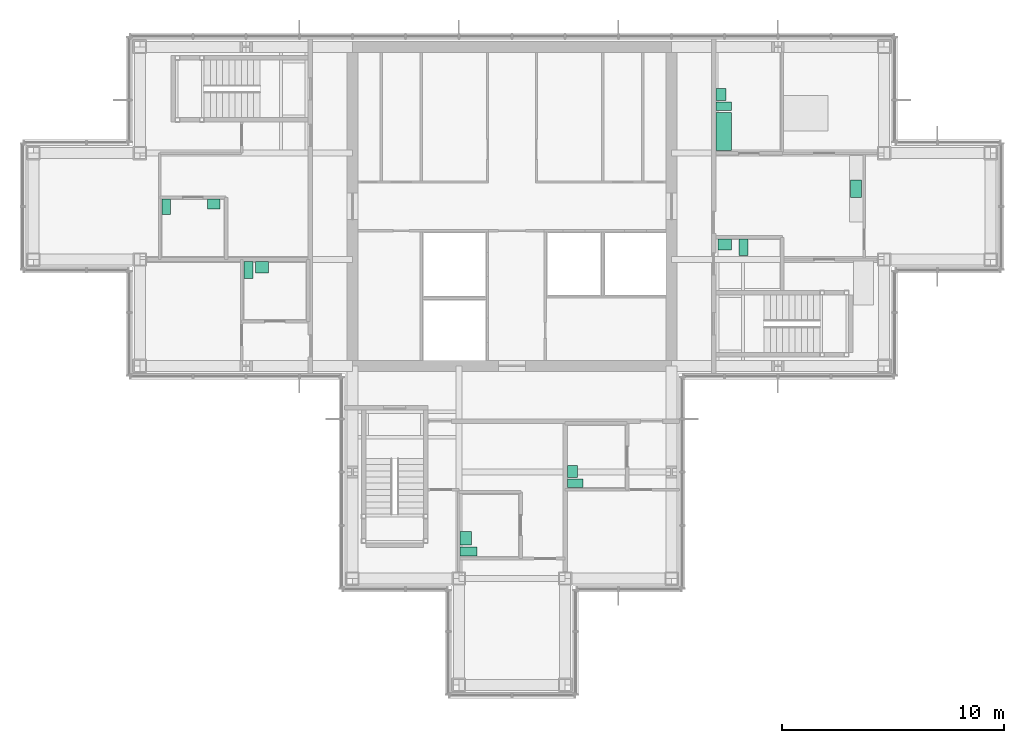
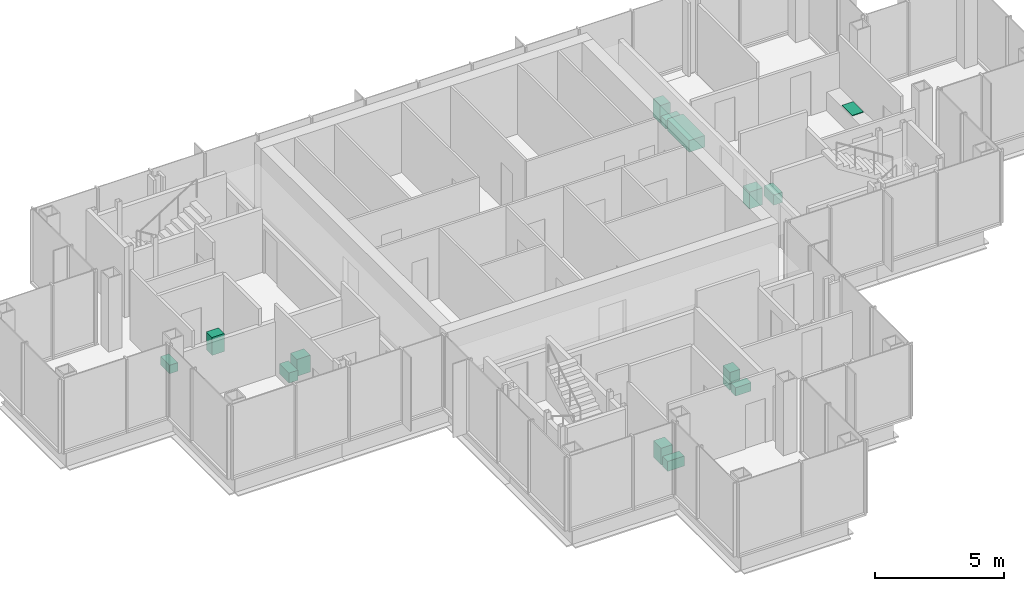
# One storey, part 14 of 15: 14 sanitary terminals.
"""IFC4 building model written with IfcOpenShell, lengths in metres."""

from ifc_helpers import new_model, si_unit, direction, frame, origin, origin_2d, place, context, subcontext, project, spatial, rectangle, extrude, material, type_object, element, save


model = new_model("IFC4")

# Units and contexts
model_context = context("Model", 3, precision=1e-05, world=origin(), true_north=direction((0.0, 1.0)))
body_context = subcontext(model_context, "Body", "Model", "MODEL_VIEW")
ifc_project = project(units=[si_unit("LENGTHUNIT", "METRE"), si_unit("AREAUNIT", "SQUARE_METRE"), si_unit("VOLUMEUNIT", "CUBIC_METRE"), si_unit("PLANEANGLEUNIT", "RADIAN"), si_unit("MASSUNIT", "GRAM", prefix="KILO")], contexts=[model_context])

# Site, building, storey
site_placement = place(None, origin())
site = spatial("IfcSite", under=ifc_project, at=site_placement, CompositionType="ELEMENT")
building_placement = place(site_placement, origin())
building = spatial("IfcBuilding", under=site, at=building_placement, Name="Kvirike Care Tower", CompositionType="ELEMENT")
storey_placement = place(building_placement, frame((0.0, 0.0, 233.0)))
storey = spatial("IfcBuildingStorey", under=building, at=storey_placement, Name="L64", CompositionType="ELEMENT", Elevation=233.0)

# Sanitary terminals
ifc_material_1 = material(Name="Vitreous china", Category="ceramic")
sanitary_terminal_type_1 = type_object("IfcSanitaryTerminalType", Name="ACCESSIBLE WASH BASIN 600 x 500", PredefinedType="WASHHANDBASIN", material=ifc_material_1)
for number, where, z_axis, x_axis, name in (
    (1, (10.31005859375, 33.248046875, 0.02001953125), (0.0, 0.0, 1.0), (1.0, 0.0, 0.0), "Accessible wash basin L64-007"),
    (2, (19.511962890625, 21.010009765625, 0.02001953125), (0.0, 0.0, 1.0), (0.0, 1.0, 0.0), "Accessible wash basin L64-013"),
    (3, (31.199951171875, 34.27294921875, 0.02001953125), (0.0, 0.0, 1.0), (1.0, 0.0, 0.0), "Accessible wash basin L64-023"),
):
    element("IfcSanitaryTerminal", number, at=place(storey_placement, frame(where, z_axis=z_axis, x_axis=x_axis)), inside=storey, type_object=sanitary_terminal_type_1, Name=name, PredefinedType="WASHHANDBASIN", context=body_context, shape_type="SweptSolid", body=[
        extrude(rectangle(XDim=0.60009765625, YDim=0.5, at=origin_2d()), origin(), (0.0, 0.0, 1.0), 0.800048828125),
    ])
ifc_material_2 = material(Name="Vitreous china", Category="ceramic")
sanitary_terminal_type_2 = type_object("IfcSanitaryTerminalType", Name="ACCESSIBLE WC PAN 400 x 750", PredefinedType="TOILETPAN", material=ifc_material_2)
for number, where, z_axis, x_axis, name in (
    (4, (9.7099609375, 33.123046875, 0.02001953125), (0.0, 0.0, 1.0), (1.0, 0.0, 0.0), "Accessible WC pan L64-007"),
    (5, (19.636962890625, 20.409912109375, 0.02001953125), (0.0, 0.0, 1.0), (0.0, 1.0, 0.0), "Accessible WC pan L64-013"),
    (6, (32.050048828125, 34.14794921875, 0.02001953125), (0.0, 0.0, 1.0), (1.0, 0.0, 0.0), "Accessible WC pan L64-023"),
):
    element("IfcSanitaryTerminal", number, at=place(storey_placement, frame(where, z_axis=z_axis, x_axis=x_axis)), inside=storey, type_object=sanitary_terminal_type_2, Name=name, PredefinedType="TOILETPAN", context=body_context, shape_type="SweptSolid", body=[
        extrude(rectangle(XDim=0.39990234375, YDim=0.75, at=origin_2d()), origin(), (0.0, 0.0, 1.0), 0.47998046875),
    ])
ifc_material_3 = material(Name="Enamelled steel", Category="steel")
sanitary_terminal_type_3 = type_object("IfcSanitaryTerminalType", Name="BATH 1700 x 700", PredefinedType="BATH", material=ifc_material_3)
sanitary_terminal_1_placement = place(storey_placement, frame((31.152099609375, 39.375, 0.02001953125), z_axis=(0.0, 0.0, 1.0), x_axis=(0.0, 1.0, 0.0)))
element("IfcSanitaryTerminal", 7, at=sanitary_terminal_1_placement, inside=storey, type_object=sanitary_terminal_type_3, Name="Bath L64-024", PredefinedType="BATH", context=body_context, shape_type="SweptSolid", body=[
    extrude(rectangle(XDim=1.699951171875, YDim=0.699951171875, at=origin_2d()), origin(), (0.0, 0.0, 1.0), 0.550048828125),
])
ifc_material_4 = material(Name="Stainless steel", Category="steel")
sanitary_terminal_type_4 = type_object("IfcSanitaryTerminalType", Name="KITCHEN SINK 800 x 500", PredefinedType="SINK", material=ifc_material_4)
sanitary_terminal_2_placement = place(storey_placement, frame((37.137939453125, 36.7900390625, 0.89990234375), z_axis=(0.0, 0.0, 1.0), x_axis=(0.0, -1.0, 0.0)))
element("IfcSanitaryTerminal", 8, at=sanitary_terminal_2_placement, inside=storey, type_object=sanitary_terminal_type_4, Name="Kitchen sink L64-025", PredefinedType="SINK", context=body_context, shape_type="SweptSolid", body=[
    extrude(rectangle(XDim=0.800048828125, YDim=0.5, at=origin_2d()), origin(), (0.0, 0.0, 1.0), 0.030029296875),
])
ifc_material_5 = material(Name="Vitreous china", Category="ceramic")
sanitary_terminal_type_5 = type_object("IfcSanitaryTerminalType", Name="WASH BASIN 550 x 450", PredefinedType="WASHHANDBASIN", material=ifc_material_5)
for number, where, z_axis, x_axis, name in (
    (9, (8.135009765625, 36.097900390625, 0.02001953125), (0.0, 0.0, 1.0), (1.0, 0.0, 0.0), "Wash basin L64-004"),
    (10, (24.326904296875, 24.034912109375, 0.02001953125), (0.0, 0.0, 1.0), (0.0, 1.0, 0.0), "Wash basin L64-016"),
    (11, (31.027099609375, 41.050048828125, 0.02001953125), (0.0, 0.0, 1.0), (0.0, 1.0, 0.0), "Wash basin L64-024"),
):
    element("IfcSanitaryTerminal", number, at=place(storey_placement, frame(where, z_axis=z_axis, x_axis=x_axis)), inside=storey, type_object=sanitary_terminal_type_5, Name=name, PredefinedType="WASHHANDBASIN", context=body_context, shape_type="SweptSolid", body=[
        extrude(rectangle(XDim=0.550048828125, YDim=0.449951171875, at=origin_2d()), origin(), (0.0, 0.0, 1.0), 0.85009765625),
    ])
ifc_material_6 = material(Name="Vitreous china", Category="ceramic")
sanitary_terminal_type_6 = type_object("IfcSanitaryTerminalType", Name="WC PAN 380 x 700", PredefinedType="TOILETPAN", material=ifc_material_6)
for number, where, z_axis, x_axis, name in (
    (12, (6.0, 35.972900390625, 0.02001953125), (0.0, 0.0, 1.0), (1.0, 0.0, 0.0), "WC pan L64-004"),
    (13, (24.451904296875, 23.5, 0.02001953125), (0.0, 0.0, 1.0), (0.0, 1.0, 0.0), "WC pan L64-016"),
    (14, (31.152099609375, 40.514892578125, 0.02001953125), (0.0, 0.0, 1.0), (0.0, 1.0, 0.0), "WC pan L64-024"),
):
    element("IfcSanitaryTerminal", number, at=place(storey_placement, frame(where, z_axis=z_axis, x_axis=x_axis)), inside=storey, type_object=sanitary_terminal_type_6, Name=name, PredefinedType="TOILETPAN", context=body_context, shape_type="SweptSolid", body=[
        extrude(rectangle(XDim=0.3798828125, YDim=0.699951171875, at=origin_2d()), origin(), (0.0, 0.0, 1.0), 0.39990234375),
    ])

save(model, "model.ifc")
